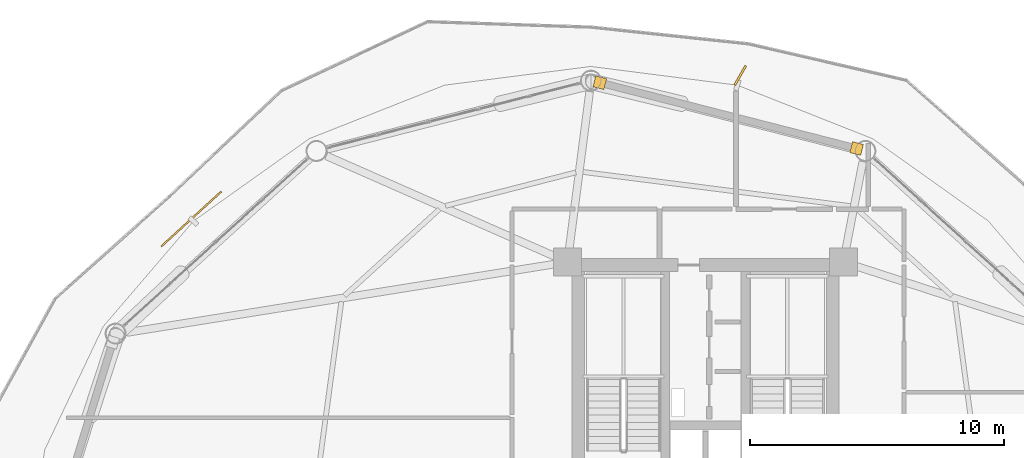
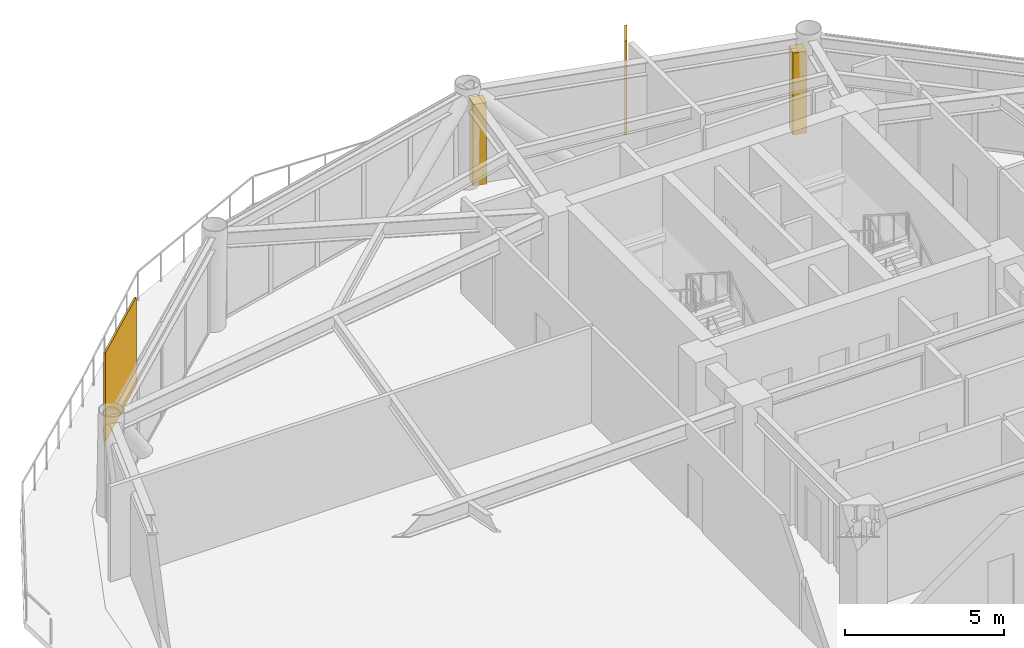
# One storey, part 26 of 26: 2 coverings, 2 shading devices.
"""IFC4 building model written with IfcOpenShell, lengths in metres."""

from ifc_helpers import new_model, si_unit, direction, frame, origin, origin_2d, place, context, subcontext, project, spatial, rectangle, extrude, source, transform, mapped, material, layer, layer_set, type_object, type_shapes, element, save


model = new_model("IFC4")

# Units and contexts
model_context = context("Model", 3, precision=1e-05, world=origin(), true_north=direction((0.0, 1.0)))
body_context = subcontext(model_context, "Body", "Model", "MODEL_VIEW")
ifc_project = project(units=[si_unit("LENGTHUNIT", "METRE"), si_unit("AREAUNIT", "SQUARE_METRE"), si_unit("VOLUMEUNIT", "CUBIC_METRE"), si_unit("PLANEANGLEUNIT", "RADIAN"), si_unit("MASSUNIT", "GRAM", prefix="KILO")], contexts=[model_context])

# Site, building, storey
site_placement = place(None, origin())
site = spatial("IfcSite", under=ifc_project, at=site_placement, CompositionType="ELEMENT")
building_placement = place(site_placement, origin())
building = spatial("IfcBuilding", under=site, at=building_placement, Name="Varnakorn Sky Granary", CompositionType="ELEMENT")
storey_placement = place(building_placement, frame((0.0, 0.0, 95.39990234375)))
storey = spatial("IfcBuildingStorey", under=building, at=storey_placement, Name="L23", CompositionType="ELEMENT", Elevation=95.39990234375)

# Shading devices
ifc_material = material(Name="Anodised Bronze Aluminium Alloy 6063-T6", Category="aluminium")
shading_device_type_1 = type_object("IfcShadingDeviceType", Name="SH-FIN-01", PredefinedType="USERDEFINED", material=ifc_material)
shared_shape_1 = source(origin(), body_context, "Body", "SweptSolid", [
    extrude(rectangle(XDim=0.0849609375, YDim=0.8798828125, at=origin_2d()), origin(), (0.0, 0.0, 1.0), 3.60009765625),
])
type_shapes(shading_device_type_1, [shared_shape_1])
shading_device_1_placement = place(storey_placement, frame((4.3671875, 19.95263671875, -0.0400390625), z_axis=(0.0, 0.0, 1.0), x_axis=(-0.867423884982, 0.497569898368, 0.0)))
element("IfcShadingDevice", 1, at=shading_device_1_placement, inside=storey, type_object=shading_device_type_1, Name="Bronze Solar-Tracking Vertical Blade FIN L23-03", ObjectType="FIN", PredefinedType="USERDEFINED", context=body_context, shape_type="MappedRepresentation", body=[
    mapped(shared_shape_1, transform((0.0, 0.0, 0.0), x_axis=(1.0, 0.0, 0.0), y_axis=(0.0, 1.0, 0.0), z_axis=(0.0, 0.0, 1.0), scale=1.0)),
])
shading_device_type_2 = type_object("IfcShadingDeviceType", Name="SH-SCR-01", PredefinedType="USERDEFINED", material=ifc_material)
shared_shape_2 = source(origin(), body_context, "Body", "SweptSolid", [
    extrude(rectangle(XDim=3.199951171875, YDim=0.06494140625, at=origin_2d()), origin(), (0.0, 0.0, 1.0), 3.39990234375),
])
type_shapes(shading_device_type_2, [shared_shape_2])
shading_device_2_placement = place(storey_placement, frame((-17.21044921875, 14.307373046875, -0.039794921875), z_axis=(0.0, 0.0, 1.0), x_axis=(-0.738145936566, -0.674641072224, 0.0)))
element("IfcShadingDevice", 2, at=shading_device_2_placement, inside=storey, type_object=shading_device_type_2, Name="Perforated Bronze Solar Screen Panel SCREEN L23-05", ObjectType="SCREEN", PredefinedType="USERDEFINED", context=body_context, shape_type="MappedRepresentation", body=[
    mapped(shared_shape_2, transform((0.0, 0.0, 0.0), x_axis=(1.0, 0.0, 0.0), y_axis=(0.0, 1.0, 0.0), z_axis=(0.0, 0.0, 1.0), scale=1.0)),
])

# Coverings
ifc_layer = layer(ifc_material, 0.050048828125, Name="Anodised Bronze Aluminium Alloy 6063-T6")
ifc_layer_set = layer_set([ifc_layer], Name="Anodised Bronze Aluminium Alloy 6063-T6")
covering_type = type_object("IfcCoveringType", Name="CV-CLAD-50", PredefinedType="CLADDING", material=ifc_layer_set)
shared_shape_3 = source(origin(), body_context, "Body", "SweptSolid", [
    extrude(rectangle(XDim=0.43994140625, YDim=0.43994140625, at=origin_2d()), origin(), (0.0, 0.0, 1.0), 3.1298828125),
])
type_shapes(covering_type, [shared_shape_3])
for number, where, z_axis, x_axis, name in (
    (3, (-1.14990234375, 19.665283203125, -0.019775390625), (0.0, 0.0, 1.0), (0.968756543371, -0.248013628006, 0.0), "Bronze Corner Pilaster Closure L23-P03-A"),
    (4, (8.94091796875, 17.0810546875, -0.019775390625), (0.0, 0.0, 1.0), (0.968756543371, -0.248013628006, 0.0), "Bronze Corner Pilaster Closure L23-P03-B"),
):
    element("IfcCovering", number, at=place(storey_placement, frame(where, z_axis=z_axis, x_axis=x_axis)), inside=storey, type_object=covering_type, Name=name, PredefinedType="CLADDING", context=body_context, shape_type="MappedRepresentation", body=[
        mapped(shared_shape_3, transform((0.0, 0.0, 0.0), x_axis=(1.0, 0.0, 0.0), y_axis=(0.0, 1.0, 0.0), z_axis=(0.0, 0.0, 1.0), scale=1.0)),
    ])

save(model, "model.ifc")
